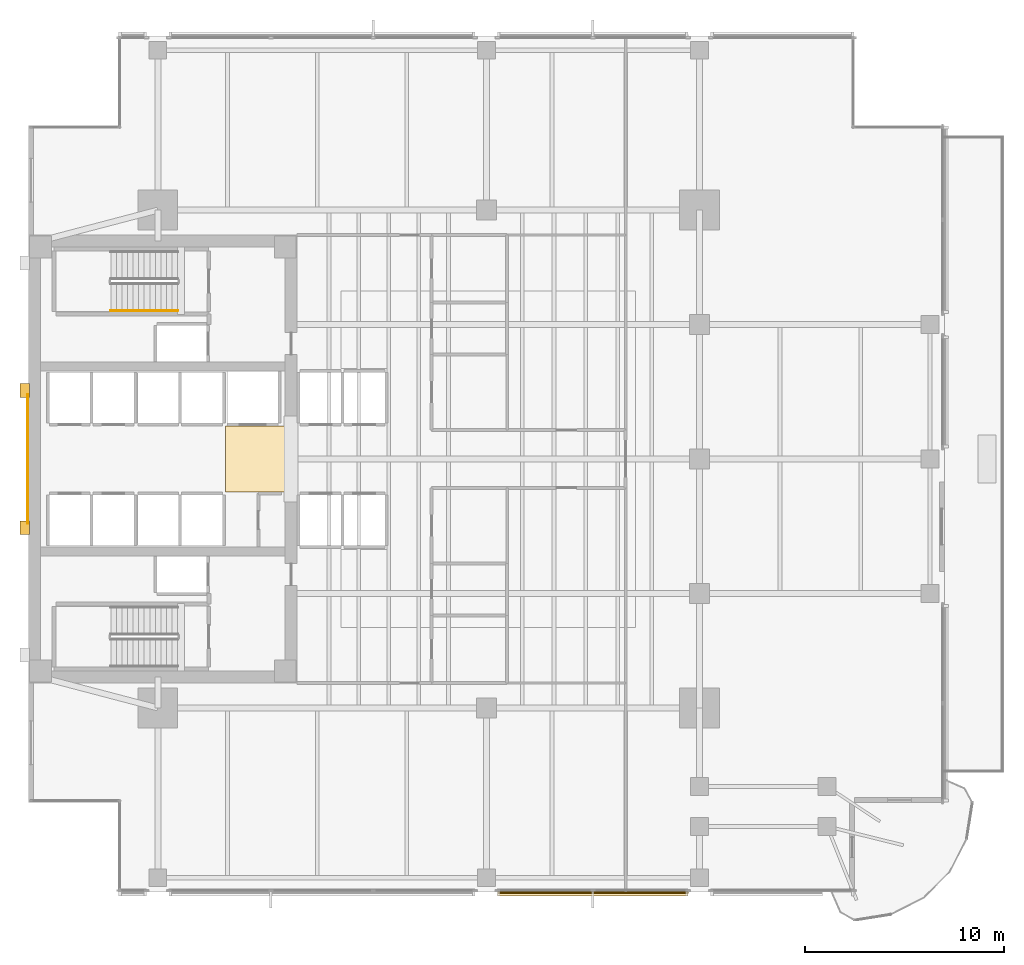
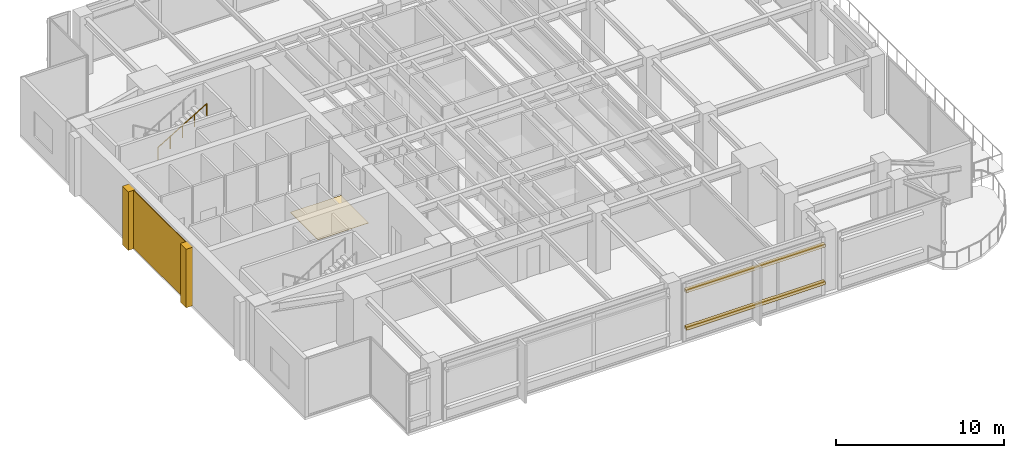
# One storey, part 12 of 14: 6 coverings, 2 shading devices, 1 railing.
"""IFC4 building model written with IfcOpenShell, lengths in metres."""

import ifcopenshell
import ifcopenshell.guid

model = None  # the IFC model being written
_history = None  # IfcOwnerHistory: only IFC2X3 demands one
_inside = {}  # id of a spatial element -> (the spatial element, [elements in it])
_under = {}  # id of a project, library or spatial element -> (it, [spatial elements below it])
_declared = {}  # id of a project -> (the project, [libraries it declares])
_typed = {}  # id of a type object -> (the type object, [elements of that type])
_made_of = {}  # id of a material, layer set ... -> (it, [elements and type objects made of it])


def new_model(schema):
    """Start an empty IFC model of exactly this schema.

    Asked for "IFC4X3", IfcOpenShell would pick the latest addendum, in which some entities
    have other attributes; the version numbers below select the first issue.
    IFC2X3 requires an IfcOwnerHistory on every rooted entity: one is made here for all.
    """
    global model, _history
    if schema == "IFC4X3":
        model = ifcopenshell.file(schema_version=(4, 3, 0, 0))
    else:
        model = ifcopenshell.file(schema=schema)
    _inside.clear()
    _under.clear()
    _declared.clear()
    _typed.clear()
    _made_of.clear()
    _history = None
    if model.schema == "IFC2X3":
        org = make("IfcOrganization", Name="unknown")
        user = make(
            "IfcPersonAndOrganization",
            ThePerson=make("IfcPerson", FamilyName="unknown"),
            TheOrganization=org,
        )
        app = make(
            "IfcApplication",
            ApplicationDeveloper=org,
            Version="unknown",
            ApplicationFullName="unknown",
            ApplicationIdentifier="unknown",
        )
        _history = make(
            "IfcOwnerHistory",
            OwningUser=user,
            OwningApplication=app,
            ChangeAction="ADDED",
            CreationDate=0,
        )
    return model


def make(cls, **values):
    """One entity of the class cls with the attributes given. An attribute that is None is left unset."""
    return model.create_entity(
        cls, **{name: value for name, value in values.items() if value is not None}
    )


def rooted(cls, **values):
    """An entity with a GlobalId (a new one), such as an element, a storey or a relation."""
    return make(cls, GlobalId=ifcopenshell.guid.new(), OwnerHistory=_history, **values)


def si_unit(unit_type, name, prefix=None):
    """IfcSIUnit, for example si_unit("LENGTHUNIT", "METRE", prefix="MILLI")."""
    return make("IfcSIUnit", UnitType=unit_type, Prefix=prefix, Name=name)


def assignment(units):
    """IfcUnitAssignment: the units of a project."""
    return None if units is None else make("IfcUnitAssignment", Units=units)


def point(xyz):
    """IfcCartesianPoint."""
    return None if xyz is None else make("IfcCartesianPoint", Coordinates=xyz)


def direction(xyz):
    """IfcDirection."""
    return None if xyz is None else make("IfcDirection", DirectionRatios=xyz)


def frame(location, z_axis=None, x_axis=None):
    """IfcAxis2Placement3D, a coordinate frame: its origin and axes. An axis left out is left unset."""
    return make(
        "IfcAxis2Placement3D",
        Location=point(location),
        Axis=direction(z_axis),
        RefDirection=direction(x_axis),
    )


def frame_2d(location, x_axis=None):
    """IfcAxis2Placement2D, a coordinate frame in the plane: its origin and x axis."""
    return make(
        "IfcAxis2Placement2D", Location=point(location), RefDirection=direction(x_axis)
    )


def origin():
    """The frame at (0, 0, 0) with its axes left unset."""
    return frame((0.0, 0.0, 0.0))


def origin_2d():
    """The frame at (0, 0) in the plane with its x axis left unset."""
    return frame_2d((0.0, 0.0))


def place(relative_to, where):
    """IfcLocalPlacement: puts the frame where relative to a parent placement (None: the world)."""
    return make(
        "IfcLocalPlacement", PlacementRelTo=relative_to, RelativePlacement=where
    )


def context(
    kind, dimensions, precision=None, world=None, true_north=None, identifier=None
):
    """IfcGeometricRepresentationContext, for example the 3D "Model" context."""
    return make(
        "IfcGeometricRepresentationContext",
        ContextIdentifier=identifier,
        ContextType=kind,
        CoordinateSpaceDimension=dimensions,
        Precision=precision,
        WorldCoordinateSystem=world,
        TrueNorth=true_north,
    )


def subcontext(parent, identifier, kind, view, scale=None):
    """IfcGeometricRepresentationSubContext, for example "Body" below "Model"."""
    return make(
        "IfcGeometricRepresentationSubContext",
        ContextIdentifier=identifier,
        ContextType=kind,
        ParentContext=parent,
        TargetScale=scale,
        TargetView=view,
    )


def project(units=None, contexts=None):
    """IfcProject with its units and contexts."""
    return rooted(
        "IfcProject",
        Name="project",
        RepresentationContexts=contexts,
        UnitsInContext=assignment(units),
    )


def spatial(cls, under=None, at=None, **own):
    """A site, building, storey or space (cls), placed at a placement, below another one or the project."""
    s = rooted(cls, ObjectPlacement=at, **own)
    if under is not None:
        _under.setdefault(under.id(), (under, []))[1].append(s)
    return s


def polyline(points):
    """IfcPolyline through the points."""
    return make("IfcPolyline", Points=[point(p) for p in points])


def profile(cls, at=None, kind="AREA", **sizes):
    """A parametric profile (cls). Its sizes go by their IFC names, for example OverallWidth=200.0."""
    return make(cls, ProfileType=kind, Position=at, **sizes)


def rectangle(**sizes):
    """IfcRectangleProfileDef."""
    return profile("IfcRectangleProfileDef", **sizes)


def circle(**sizes):
    """IfcCircleProfileDef."""
    return profile("IfcCircleProfileDef", **sizes)


def outline(outer, holes=None, kind="AREA"):
    """IfcArbitraryClosedProfileDef: a profile drawn as a closed curve; with holes, ...WithVoids."""
    if holes is None:
        return make("IfcArbitraryClosedProfileDef", ProfileType=kind, OuterCurve=outer)
    return make(
        "IfcArbitraryProfileDefWithVoids",
        ProfileType=kind,
        OuterCurve=outer,
        InnerCurves=holes,
    )


def extrude(swept, where, along, depth):
    """IfcExtrudedAreaSolid: the profile swept, set in the frame where, extruded along a direction by depth."""
    return make(
        "IfcExtrudedAreaSolid",
        SweptArea=swept,
        Position=where,
        ExtrudedDirection=direction(along),
        Depth=depth,
    )


def shape(context_of_items, identifier, shape_type, items):
    """IfcShapeRepresentation: the items that make up one representation, for example the "Body"."""
    return make(
        "IfcShapeRepresentation",
        ContextOfItems=context_of_items,
        RepresentationIdentifier=identifier,
        RepresentationType=shape_type,
        Items=items,
    )


def material(Name=None, Category=None):
    """IfcMaterial."""
    return make("IfcMaterial", Name=Name, Category=Category)


def layer(
    of_material, thickness, ventilated=None, Name=None, Category=None, Priority=None
):
    """IfcMaterialLayer: one layer of a wall or slab, of a material (None: an air gap)."""
    return make(
        "IfcMaterialLayer",
        Material=of_material,
        LayerThickness=thickness,
        IsVentilated=ventilated,
        Name=Name,
        Category=Category,
        Priority=Priority,
    )


def layer_set(layers, Name=None):
    """IfcMaterialLayerSet."""
    return make("IfcMaterialLayerSet", MaterialLayers=layers, LayerSetName=Name)


def material_profile(
    of_material, cross_section, Name=None, Category=None, Priority=None
):
    """IfcMaterialProfile: a cross section and its material."""
    return make(
        "IfcMaterialProfile",
        Name=Name,
        Material=of_material,
        Profile=cross_section,
        Priority=Priority,
        Category=Category,
    )


def profile_set(profiles, Name=None, composite=None):
    """IfcMaterialProfileSet."""
    return make(
        "IfcMaterialProfileSet",
        Name=Name,
        MaterialProfiles=profiles,
        CompositeProfile=composite,
    )


def made_of(thing, what):
    """Note that an element or type object is made of a material, layer set ...; save() writes the relation."""
    if what is not None:
        _made_of.setdefault(what.id(), (what, []))[1].append(thing)
    return thing


def type_object(cls, material=None, **own):
    """A type object (cls), such as IfcWallType, which elements share."""
    return made_of(rooted(cls, **own), material)


def element(
    cls,
    number,
    at=None,
    inside=None,
    cuts=None,
    type_object=None,
    material=None,
    context=None,
    identifier="Body",
    shape_type=None,
    held_by="IfcProductDefinitionShape",
    body=None,
    shapes=None,
    **own,
):
    """One element of the class cls, such as IfcWall. Its Tag is "e" and its number.

    at: its placement. inside: the storey or other place that contains it. cuts: it is an
    opening in that element (IfcRelVoidsElement). A single representation is given by context,
    identifier, shape_type and body (its items); several are given by shapes. held_by: the class
    of the entity that holds the representations. save() writes the other relations.
    """
    e = rooted(cls, Tag="e%d" % number, ObjectPlacement=at, **own)
    if body is not None:
        shapes = [shape(context, identifier, shape_type, body)]
    if shapes is not None:
        e.Representation = make(held_by, Representations=shapes)
    if inside is not None:
        _inside.setdefault(inside.id(), (inside, []))[1].append(e)
    if cuts is not None:
        rooted(
            "IfcRelVoidsElement", RelatingBuildingElement=cuts, RelatedOpeningElement=e
        )
    if type_object is not None:
        _typed.setdefault(type_object.id(), (type_object, []))[1].append(e)
    return made_of(e, material)


def aggregate(whole, parts):
    """IfcRelAggregates: a whole, such as a stair, and the parts it consists of."""
    return rooted("IfcRelAggregates", RelatingObject=whole, RelatedObjects=parts)


def save(model, path):
    """Write the relations noted so far, then the file.

    IfcRelAggregates (storeys below a building ...), IfcRelContainedInSpatialStructure (elements
    in a storey), IfcRelDefinesByType, IfcRelAssociatesMaterial and IfcRelDeclares: one each for
    every whole, place, type object, material and project.
    """
    for whole, parts in _under.values():
        aggregate(whole, parts)
    for where, things in _inside.values():
        rooted(
            "IfcRelContainedInSpatialStructure",
            RelatedElements=things,
            RelatingStructure=where,
        )
    for kind, things in _typed.values():
        rooted("IfcRelDefinesByType", RelatedObjects=things, RelatingType=kind)
    for what, things in _made_of.values():
        rooted("IfcRelAssociatesMaterial", RelatedObjects=things, RelatingMaterial=what)
    for by, libraries in _declared.values():
        rooted("IfcRelDeclares", RelatingContext=by, RelatedDefinitions=libraries)
    model.write(path)


model = new_model("IFC4")

# Units and contexts
model_context = context("Model", 3, precision=1e-05, world=origin(), true_north=direction((0.0, 1.0)))
body_context = subcontext(model_context, "Body", "Model", "MODEL_VIEW")
ifc_project = project(units=[si_unit("LENGTHUNIT", "METRE"), si_unit("AREAUNIT", "SQUARE_METRE"), si_unit("VOLUMEUNIT", "CUBIC_METRE"), si_unit("PLANEANGLEUNIT", "RADIAN"), si_unit("MASSUNIT", "GRAM", prefix="KILO")], contexts=[model_context])

# Site, building, storey
site_placement = place(None, origin())
site = spatial("IfcSite", under=ifc_project, at=site_placement, CompositionType="ELEMENT")
building_placement = place(site_placement, origin())
building = spatial("IfcBuilding", under=site, at=building_placement, Name="Kinhvarn Gate Tower", CompositionType="ELEMENT")
storey_placement = place(building_placement, frame((0.0, 0.0, 97.85009765625)))
storey = spatial("IfcBuildingStorey", under=building, at=storey_placement, Name="L25", CompositionType="ELEMENT", Elevation=97.85009765625)

# Coverings
ifc_material_1 = material(Name="Fired architectural terracotta", Category="masonry")
ifc_layer_1 = layer(ifc_material_1, 0.239990234375)
ifc_layer_set_1 = layer_set([ifc_layer_1], Name="Fired architectural terracotta")
covering_type_1 = type_object("IfcCoveringType", Name="COV-BAG-220", PredefinedType="CLADDING", material=ifc_layer_set_1)
for number, where, name in (
    (1, (0.0, 0.0, 0.93994140625), "Terracotta Horizontal Sunscreen Band TBG-220 (L25)"),
    (2, (0.0, 0.0, 3.659912109375), "Terracotta Horizontal Sunscreen Band TBG-220 (L25)"),
):
    element("IfcCovering", number, at=place(storey_placement, frame(where)), inside=storey, type_object=covering_type_1, Name=name, PredefinedType="CLADDING", context=body_context, shape_type="SweptSolid", body=[
        extrude(outline(polyline([(28.070068359375, 3.5400390625), (37.6298828125, 3.5400390625), (37.6298828125, 3.300048828125), (28.070068359375, 3.300048828125), (28.070068359375, 3.5400390625)])), origin(), (0.0, 0.0, 1.0), 0.219970703125),
    ])
ifc_layer_2 = layer(ifc_material_1, 0.050048828125)
ifc_layer_set_2 = layer_set([ifc_layer_2], Name="Fired architectural terracotta")
covering_type_2 = type_object("IfcCoveringType", Name="COV-CLD-50", PredefinedType="CLADDING", material=ifc_layer_set_2)
covering_1_placement = place(storey_placement, origin())
element("IfcCovering", 3, at=covering_1_placement, inside=storey, type_object=covering_type_2, Name="West Core Terracotta Cladding Feature Panel (L25)", PredefinedType="CLADDING", context=body_context, shape_type="SweptSolid", body=[
    extrude(outline(polyline([(4.449951171875, 22.0), (4.5, 22.0), (4.5, 28.5), (4.449951171875, 28.5), (4.449951171875, 22.0)])), origin(), (0.0, 0.0, 1.0), 4.219970703125),
])
ifc_material_2 = material(Name="Honed granite architectural paving", Category="masonry")
ifc_layer_3 = layer(ifc_material_2, 0.030029296875)
ifc_layer_set_3 = layer_set([ifc_layer_3], Name="Honed granite architectural paving")
covering_type_3 = type_object("IfcCoveringType", Name="COV-FLR-30", PredefinedType="FLOORING", material=ifc_layer_set_3)
covering_2_placement = place(storey_placement, origin())
element("IfcCovering", 4, at=covering_2_placement, inside=storey, type_object=covering_type_3, Name="Honed Granite Lift Lobby Flooring (L25)", PredefinedType="FLOORING", context=body_context, shape_type="SweptSolid", body=[
    extrude(outline(polyline([(14.39990234375, 23.60009765625), (14.39990234375, 26.89990234375), (17.89990234375, 26.89990234375), (17.89990234375, 23.60009765625), (14.39990234375, 23.60009765625)])), origin(), (0.0, 0.0, 1.0), 0.02978515625),
])
ifc_material_3 = material(Name="Precast white architectural concrete C40/50", Category="concrete")
ifc_layer_4 = layer(ifc_material_3, 0.47998046875)
ifc_layer_set_4 = layer_set([ifc_layer_4], Name="Precast white architectural concrete C40/50")
covering_type_4 = type_object("IfcCoveringType", Name="COV-RIB-450", PredefinedType="CLADDING", material=ifc_layer_set_4)
covering_3_placement = place(storey_placement, frame((0.0, 0.0, -0.02001953125)))
element("IfcCovering", 5, at=covering_3_placement, inside=storey, type_object=covering_type_4, Name="West Core Sculptural Concrete Relief Rib CRB-450 (L25)", PredefinedType="CLADDING", context=body_context, shape_type="SweptSolid", body=[
    extrude(outline(polyline([(4.080078125, 21.449951171875), (4.56005859375, 21.449951171875), (4.56005859375, 22.14990234375), (4.080078125, 22.14990234375), (4.080078125, 21.449951171875)])), origin(), (0.0, 0.0, 1.0), 4.260009765625),
])
covering_4_placement = place(storey_placement, frame((0.0, 0.0, -0.02001953125)))
element("IfcCovering", 6, at=covering_4_placement, inside=storey, type_object=covering_type_4, Name="West Core Sculptural Concrete Relief Rib CRB-450 (L25)", PredefinedType="CLADDING", context=body_context, shape_type="SweptSolid", body=[
    extrude(outline(polyline([(4.080078125, 28.35009765625), (4.56005859375, 28.35009765625), (4.56005859375, 29.050048828125), (4.080078125, 29.050048828125), (4.080078125, 28.35009765625)])), origin(), (0.0, 0.0, 1.0), 4.260009765625),
])

# Railing
ifc_material_4 = material(Name="Steel S355", Category="steel")
railing_type = type_object("IfcRailingType", Name="RL-ST-HND", PredefinedType="HANDRAIL", material=ifc_material_4)
railing_placement = place(storey_placement, frame((8.639892578125, 32.699951171875, 2.369140625)))
element("IfcRailing", 7, at=railing_placement, inside=storey, type_object=railing_type, Name="L25 ST2 stair handrail 2", PredefinedType="HANDRAIL", context=body_context, shape_type="SweptSolid", body=[
    extrude(circle(Radius=0.02392578125, at=origin_2d()), frame((0.0, 0.0, 0.8759765625), z_axis=(0.855836976705, 0.0, 0.517245656632), x_axis=(0.0, 1.0, 0.0)), (0.0, 0.0, 1.0), 3.926025390625),
    extrude(circle(Radius=0.02099609375, at=origin_2d()), origin(), (0.0, 0.0, 1.0), 0.851806640625),
    extrude(circle(Radius=0.02099609375, at=origin_2d()), frame((0.840087890625, 0.0, 0.5078125)), (0.0, 0.0, 1.0), 0.851806640625),
    extrude(circle(Radius=0.02099609375, at=origin_2d()), frame((1.68017578125, 0.0, 1.015380859375)), (0.0, 0.0, 1.0), 0.851806640625),
    extrude(circle(Radius=0.02099609375, at=origin_2d()), frame((2.52001953125, 0.0, 1.52294921875)), (0.0, 0.0, 1.0), 0.851806640625),
    extrude(circle(Radius=0.02099609375, at=origin_2d()), frame((3.360107421875, 0.0, 2.03076171875)), (0.0, 0.0, 1.0), 0.851806640625),
])

# Shading devices
ifc_material_profile = material_profile(ifc_material_1, rectangle(XDim=0.06005859375, YDim=0.139892578125, at=origin_2d()), Name="TC 60x140")
ifc_profile_set = profile_set([ifc_material_profile], Name="Fired architectural terracotta")
shading_device_type = type_object("IfcShadingDeviceType", Name="SHD-BAG-180", PredefinedType="USERDEFINED", material=ifc_profile_set)
for number, where, z_axis, x_axis, name in (
    (8, (28.070068359375, 3.465087890625, 1.0498046875), (1.0, 0.0, 0.0), (0.0, 1.0, 0.0), "Fired Terracotta Baguette Screen Rod 60x140 mm (L25)"),
    (9, (28.070068359375, 3.465087890625, 3.77001953125), (1.0, 0.0, 0.0), (0.0, 1.0, 0.0), "Fired Terracotta Baguette Screen Rod 60x140 mm (L25)"),
):
    element("IfcShadingDevice", number, at=place(storey_placement, frame(where, z_axis=z_axis, x_axis=x_axis)), inside=storey, type_object=shading_device_type, Name=name, ObjectType="BAGUETTE", PredefinedType="USERDEFINED", context=body_context, shape_type="SweptSolid", body=[
        extrude(rectangle(XDim=0.06005859375, YDim=0.139892578125, at=origin_2d()), origin(), (0.0, 0.0, 1.0), 9.559814453125),
    ])

save(model, "model.ifc")
